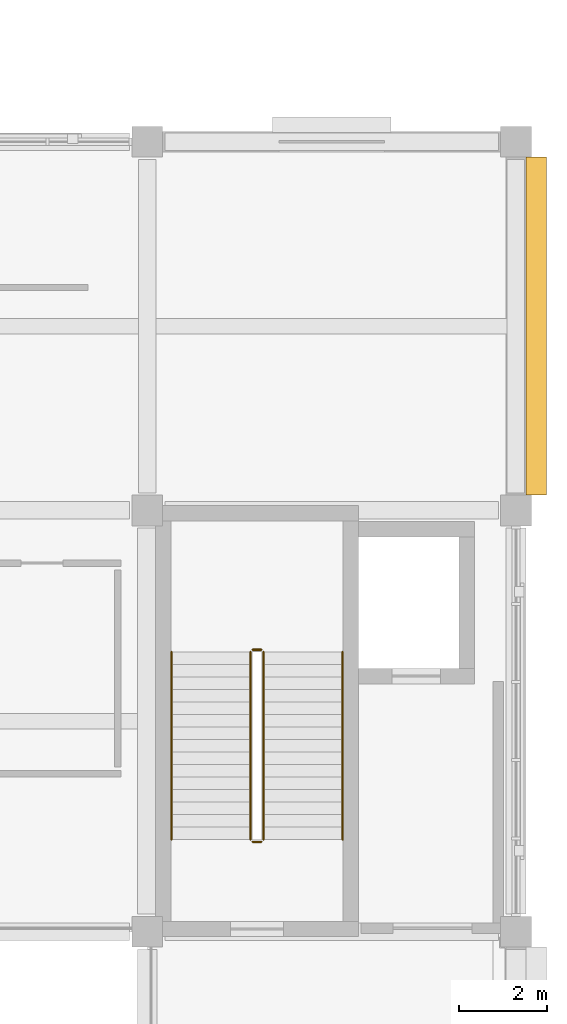
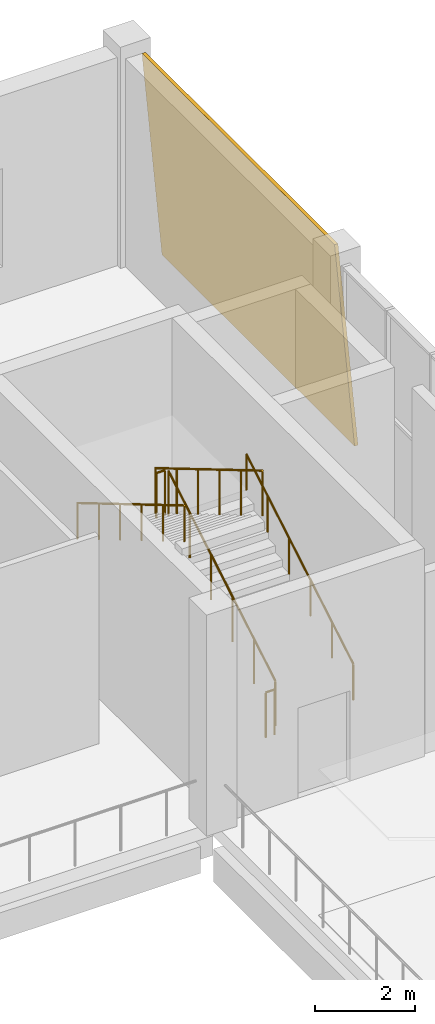
# One storey, part 82 of 83: 6 railings, 1 covering.
"""IFC4 building model written with IfcOpenShell, lengths in metres."""

from ifc_helpers import new_model, si_unit, direction, frame, origin, origin_2d, place, context, subcontext, project, spatial, polyline, circle, outline, extrude, material, layer, layer_set, type_object, element, save


model = new_model("IFC4")

# Units and contexts
model_context = context("Model", 3, precision=1e-05, world=origin(), true_north=direction((0.0, 1.0)))
body_context = subcontext(model_context, "Body", "Model", "MODEL_VIEW")
ifc_project = project(units=[si_unit("LENGTHUNIT", "METRE"), si_unit("AREAUNIT", "SQUARE_METRE"), si_unit("VOLUMEUNIT", "CUBIC_METRE"), si_unit("PLANEANGLEUNIT", "RADIAN"), si_unit("MASSUNIT", "GRAM", prefix="KILO")], contexts=[model_context])

# Site, building, storey
site_placement = place(None, origin())
site = spatial("IfcSite", under=ifc_project, at=site_placement, CompositionType="ELEMENT")
building_placement = place(site_placement, origin())
building = spatial("IfcBuilding", under=site, at=building_placement, Name="Shalvenor Court Art Gallery", CompositionType="ELEMENT")
storey_placement = place(building_placement, frame((0.0, 0.0, 6.0)))
storey = spatial("IfcBuildingStorey", under=building, at=storey_placement, Name="L01", CompositionType="ELEMENT", Elevation=6.0)

# Covering
ifc_material_1 = material(Name="Pale Mediterranean limestone cladding", Category="masonry")
ifc_layer = layer(ifc_material_1, 0.080078125, Name="Pale Mediterranean limestone cladding")
ifc_layer_set = layer_set([ifc_layer], Name="Pale Mediterranean limestone cladding")
covering_type = type_object("IfcCoveringType", Name="CLD-01", PredefinedType="CLADDING", material=ifc_layer_set)
covering_placement = place(storey_placement, frame((177.09228515625, 89.14990234375, 0.0), z_axis=(0.0, 0.0, 1.0), x_axis=(0.0, 1.0, 0.0)))
element("IfcCovering", 1, at=covering_placement, inside=storey, type_object=covering_type, Name="L01 V1 Tapered Limestone Cladding 5", PredefinedType="CLADDING", context=body_context, shape_type="SweptSolid", body=[
    extrude(outline(polyline([(0.0, 0.0), (7.7001953125, 0.0), (7.7001953125, 5.10107421875), (0.0, 5.10107421875), (0.0, 0.0)])), frame((0.0, 0.0, 0.0), z_axis=(0.0, -0.995884398616, 0.090632580198), x_axis=(1.0, 0.0, 0.0)), (0.0, 0.090632580198, -0.995884398616), 0.080322265625),
])

# Railings
ifc_material_2 = material(Name="Painted steel post-and-rail guard", Category="steel")
railing_type_1 = type_object("IfcRailingType", Name="GR-02", PredefinedType="GUARDRAIL", material=ifc_material_2)
railing_1_placement = place(storey_placement, frame((170.64990234375, 81.300048828125, 0.168701171875)))
element("IfcRailing", 2, at=railing_1_placement, inside=storey, type_object=railing_type_1, Name="L01 ST-01 Stair Guard 1", PredefinedType="GUARDRAIL", context=body_context, shape_type="SweptSolid", body=[
    extrude(circle(Radius=0.02392578125, at=origin_2d()), frame((0.0, 0.0, 1.09619140625), z_axis=(0.0, 0.860470286479, 0.509500624227), x_axis=(-1.0, 0.0, 0.0)), (0.0, 0.0, 1.0), 4.968017578125),
    extrude(circle(Radius=0.02099609375, at=origin_2d()), origin(), (0.0, 0.0, 1.0), 1.072021484375),
    extrude(circle(Radius=0.02099609375, at=origin_2d()), frame((0.0, 0.85498046875, 0.50634765625)), (0.0, 0.0, 1.0), 1.072021484375),
    extrude(circle(Radius=0.02099609375, at=origin_2d()), frame((0.0, 1.7099609375, 1.012451171875)), (0.0, 0.0, 1.0), 1.072021484375),
    extrude(circle(Radius=0.02099609375, at=origin_2d()), frame((0.0, 2.56494140625, 1.518798828125)), (0.0, 0.0, 1.0), 1.072021484375),
    extrude(circle(Radius=0.02099609375, at=origin_2d()), frame((0.0, 3.419921875, 2.02490234375)), (0.0, 0.0, 1.0), 1.072021484375),
    extrude(circle(Radius=0.02099609375, at=origin_2d()), frame((0.0, 4.27490234375, 2.53125)), (0.0, 0.0, 1.0), 1.072021484375),
])
railing_2_placement = place(storey_placement, frame((170.60009765625, 85.625, 2.699951171875)))
element("IfcRailing", 3, at=railing_2_placement, inside=storey, type_object=railing_type_1, Name="L01 ST-01 Stair Guard 2", PredefinedType="GUARDRAIL", context=body_context, shape_type="SweptSolid", body=[
    extrude(circle(Radius=0.02392578125, at=origin_2d()), frame((0.0, 0.0, 1.09619140625), z_axis=(-1.0, 0.0, 0.0), x_axis=(0.0, -1.0, 0.0)), (0.0, 0.0, 1.0), 0.2001953125),
    extrude(circle(Radius=0.02099609375, at=origin_2d()), origin(), (0.0, 0.0, 1.0), 1.072021484375),
    extrude(circle(Radius=0.02099609375, at=origin_2d()), frame((-0.2001953125, 0.0, 0.0)), (0.0, 0.0, 1.0), 1.072021484375),
])
railing_3_placement = place(storey_placement, frame((170.35009765625, 85.574951171875, 2.86865234375)))
element("IfcRailing", 4, at=railing_3_placement, inside=storey, type_object=railing_type_1, Name="L01 ST-01 Stair Guard 3", PredefinedType="GUARDRAIL", context=body_context, shape_type="SweptSolid", body=[
    extrude(circle(Radius=0.02392578125, at=origin_2d()), frame((0.0, 0.0, 1.09619140625), z_axis=(0.0, -0.860470286479, 0.509500624227), x_axis=(1.0, 0.0, 0.0)), (0.0, 0.0, 1.0), 4.968017578125),
    extrude(circle(Radius=0.02099609375, at=origin_2d()), origin(), (0.0, 0.0, 1.0), 1.072021484375),
    extrude(circle(Radius=0.02099609375, at=origin_2d()), frame((0.0, -0.85498046875, 0.50634765625)), (0.0, 0.0, 1.0), 1.072021484375),
    extrude(circle(Radius=0.02099609375, at=origin_2d()), frame((0.0, -1.7099609375, 1.012451171875)), (0.0, 0.0, 1.0), 1.072021484375),
    extrude(circle(Radius=0.02099609375, at=origin_2d()), frame((0.0, -2.56494140625, 1.518798828125)), (0.0, 0.0, 1.0), 1.072021484375),
    extrude(circle(Radius=0.02099609375, at=origin_2d()), frame((0.0, -3.419921875, 2.02490234375)), (0.0, 0.0, 1.0), 1.072021484375),
    extrude(circle(Radius=0.02099609375, at=origin_2d()), frame((0.0, -4.27490234375, 2.53125)), (0.0, 0.0, 1.0), 1.072021484375),
])
railing_4_placement = place(storey_placement, frame((170.60009765625, 81.25, 0.0)))
element("IfcRailing", 5, at=railing_4_placement, inside=storey, type_object=railing_type_1, Name="L01 ST-01 Stair Guard 4", PredefinedType="GUARDRAIL", context=body_context, shape_type="SweptSolid", body=[
    extrude(circle(Radius=0.02392578125, at=origin_2d()), frame((0.0, 0.0, 1.09619140625), z_axis=(-1.0, 0.0, 0.0), x_axis=(0.0, -1.0, 0.0)), (0.0, 0.0, 1.0), 0.2001953125),
    extrude(circle(Radius=0.02099609375, at=origin_2d()), origin(), (0.0, 0.0, 1.0), 1.072021484375),
    extrude(circle(Radius=0.02099609375, at=origin_2d()), frame((-0.2001953125, 0.0, 0.0)), (0.0, 0.0, 1.0), 1.072021484375),
])
ifc_material_3 = material(Name="Brushed stainless steel handrail", Category="steel")
railing_type_2 = type_object("IfcRailingType", Name="HR-01", PredefinedType="HANDRAIL", material=ifc_material_3)
railing_5_placement = place(storey_placement, frame((172.449951171875, 81.300048828125, 0.168701171875)))
element("IfcRailing", 6, at=railing_5_placement, inside=storey, type_object=railing_type_2, Name="L01 ST-01 Stair Handrail 1", PredefinedType="HANDRAIL", context=body_context, shape_type="SweptSolid", body=[
    extrude(circle(Radius=0.02392578125, at=origin_2d()), frame((0.0, 0.0, 0.8759765625), z_axis=(0.0, 0.860470286479, 0.509500624227), x_axis=(-1.0, 0.0, 0.0)), (0.0, 0.0, 1.0), 4.968017578125),
    extrude(circle(Radius=0.02099609375, at=origin_2d()), origin(), (0.0, 0.0, 1.0), 0.851806640625),
    extrude(circle(Radius=0.02099609375, at=origin_2d()), frame((0.0, 0.85498046875, 0.50634765625)), (0.0, 0.0, 1.0), 0.851806640625),
    extrude(circle(Radius=0.02099609375, at=origin_2d()), frame((0.0, 1.7099609375, 1.012451171875)), (0.0, 0.0, 1.0), 0.851806640625),
    extrude(circle(Radius=0.02099609375, at=origin_2d()), frame((0.0, 2.56494140625, 1.518798828125)), (0.0, 0.0, 1.0), 0.851806640625),
    extrude(circle(Radius=0.02099609375, at=origin_2d()), frame((0.0, 3.419921875, 2.02490234375)), (0.0, 0.0, 1.0), 0.851806640625),
    extrude(circle(Radius=0.02099609375, at=origin_2d()), frame((0.0, 4.27490234375, 2.53125)), (0.0, 0.0, 1.0), 0.851806640625),
])
railing_6_placement = place(storey_placement, frame((168.550048828125, 85.574951171875, 2.86865234375)))
element("IfcRailing", 7, at=railing_6_placement, inside=storey, type_object=railing_type_2, Name="L01 ST-01 Stair Handrail 2", PredefinedType="HANDRAIL", context=body_context, shape_type="SweptSolid", body=[
    extrude(circle(Radius=0.02392578125, at=origin_2d()), frame((0.0, 0.0, 0.8759765625), z_axis=(0.0, -0.860470286479, 0.509500624227), x_axis=(1.0, 0.0, 0.0)), (0.0, 0.0, 1.0), 4.968017578125),
    extrude(circle(Radius=0.02099609375, at=origin_2d()), origin(), (0.0, 0.0, 1.0), 0.851806640625),
    extrude(circle(Radius=0.02099609375, at=origin_2d()), frame((0.0, -0.85498046875, 0.50634765625)), (0.0, 0.0, 1.0), 0.851806640625),
    extrude(circle(Radius=0.02099609375, at=origin_2d()), frame((0.0, -1.7099609375, 1.012451171875)), (0.0, 0.0, 1.0), 0.851806640625),
    extrude(circle(Radius=0.02099609375, at=origin_2d()), frame((0.0, -2.56494140625, 1.518798828125)), (0.0, 0.0, 1.0), 0.851806640625),
    extrude(circle(Radius=0.02099609375, at=origin_2d()), frame((0.0, -3.419921875, 2.02490234375)), (0.0, 0.0, 1.0), 0.851806640625),
    extrude(circle(Radius=0.02099609375, at=origin_2d()), frame((0.0, -4.27490234375, 2.53125)), (0.0, 0.0, 1.0), 0.851806640625),
])

save(model, "model.ifc")
